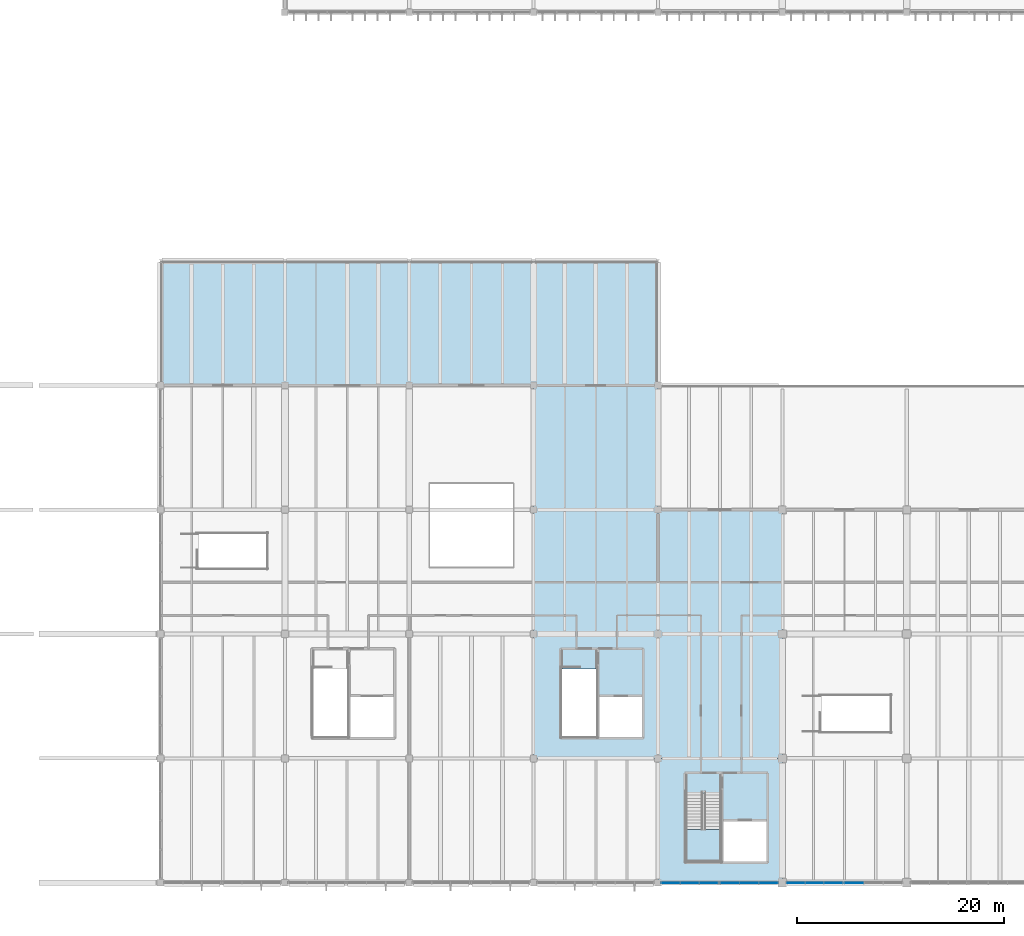
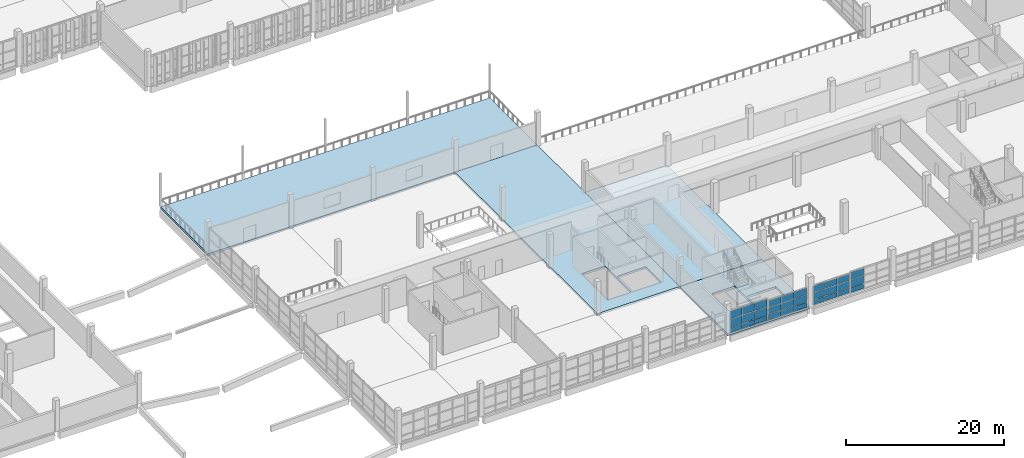
# One storey, part 60 of 112: 30 plates, 5 slabs, 5 elements without a shape of their own.
"""IFC4 building model written with IfcOpenShell, lengths in metres."""

from ifc_helpers import new_model, si_unit, direction, frame, origin, origin_2d, place, context, subcontext, project, spatial, polyline, rectangle, outline, extrude, material, layer, layer_set, type_object, element, aggregate, save


model = new_model("IFC4")

# Units and contexts
model_context = context("Model", 3, precision=1e-05, world=origin(), true_north=direction((0.0, 1.0)))
body_context = subcontext(model_context, "Body", "Model", "MODEL_VIEW")
ifc_project = project(units=[si_unit("LENGTHUNIT", "METRE"), si_unit("AREAUNIT", "SQUARE_METRE"), si_unit("VOLUMEUNIT", "CUBIC_METRE"), si_unit("PLANEANGLEUNIT", "RADIAN"), si_unit("MASSUNIT", "GRAM", prefix="KILO")], contexts=[model_context])

# Site, building, storey
site_placement = place(None, origin())
site = spatial("IfcSite", under=ifc_project, at=site_placement, CompositionType="ELEMENT")
building_placement = place(site_placement, origin())
building = spatial("IfcBuilding", under=site, at=building_placement, Name="Kamomehara Wholesale Market", CompositionType="ELEMENT")
storey_placement = place(building_placement, frame((0.0, 0.0, 6.60009765625)))
storey = spatial("IfcBuildingStorey", under=building, at=storey_placement, Name="L01", CompositionType="ELEMENT", Elevation=6.60009765625)

# Curtain wall, plates
ifc_material_1 = material(Name="Anodised aluminium 6063-T5", Category="aluminium")
curtain_wall_type = type_object("IfcCurtainWallType", Name="CW-UN-01", PredefinedType="NOTDEFINED", material=ifc_material_1)
curtain_wall_1_placement = place(storey_placement, origin())
curtain_wall_1 = element("IfcCurtainWall", 1, at=curtain_wall_1_placement, inside=storey, type_object=curtain_wall_type, Name="Unitised curtain wall CW-133", PredefinedType="NOTDEFINED")
ifc_material_2 = material(Name="Solar-control Low-E double glazing", Category="glass")
ifc_layer_1 = layer(ifc_material_2, 0.028076171875)
ifc_layer_set_1 = layer_set([ifc_layer_1], Name="Solar-control Low-E double glazing")
plate_type_1 = type_object("IfcPlateType", Name="CW-PNL-GLZ", PredefinedType="CURTAIN_PANEL", material=ifc_layer_set_1)
plate_1_placement = place(storey_placement, frame((118.657958984375, 11.97998046875, 0.8798828125), z_axis=(0.0, 0.0, 1.0), x_axis=(-1.0, 0.0, 0.0)))
plate_1 = element("IfcPlate", 2, at=plate_1_placement, type_object=plate_type_1, Name="Curtain panel CW-133.0.1", PredefinedType="CURTAIN_PANEL", context=body_context, shape_type="SweptSolid", body=[
    extrude(rectangle(XDim=1.782958984375, YDim=0.028076171875, at=origin_2d()), origin(), (0.0, 0.0, 1.0), 1.053955078125),
])
plate_2_placement = place(storey_placement, frame((118.657958984375, 11.97998046875, 1.994140625), z_axis=(0.0, 0.0, 1.0), x_axis=(-1.0, 0.0, 0.0)))
plate_2 = element("IfcPlate", 3, at=plate_2_placement, type_object=plate_type_1, Name="Curtain panel CW-133.0.2", PredefinedType="CURTAIN_PANEL", context=body_context, shape_type="SweptSolid", body=[
    extrude(rectangle(XDim=1.782958984375, YDim=0.028076171875, at=origin_2d()), origin(), (0.0, 0.0, 1.0), 1.013916015625),
])
plate_3_placement = place(storey_placement, frame((116.794921875, 11.97998046875, 0.8798828125), z_axis=(0.0, 0.0, 1.0), x_axis=(-1.0, 0.0, 0.0)))
plate_3 = element("IfcPlate", 4, at=plate_3_placement, type_object=plate_type_1, Name="Curtain panel CW-133.1.1", PredefinedType="CURTAIN_PANEL", context=body_context, shape_type="SweptSolid", body=[
    extrude(rectangle(XDim=1.782958984375, YDim=0.028076171875, at=origin_2d()), origin(), (0.0, 0.0, 1.0), 1.053955078125),
])
plate_4_placement = place(storey_placement, frame((116.794921875, 11.97998046875, 1.994140625), z_axis=(0.0, 0.0, 1.0), x_axis=(-1.0, 0.0, 0.0)))
plate_4 = element("IfcPlate", 5, at=plate_4_placement, type_object=plate_type_1, Name="Curtain panel CW-133.1.2", PredefinedType="CURTAIN_PANEL", context=body_context, shape_type="SweptSolid", body=[
    extrude(rectangle(XDim=1.782958984375, YDim=0.028076171875, at=origin_2d()), origin(), (0.0, 0.0, 1.0), 1.013916015625),
])
plate_5_placement = place(storey_placement, frame((114.931884765625, 11.97998046875, 0.8798828125), z_axis=(0.0, 0.0, 1.0), x_axis=(-1.0, 0.0, 0.0)))
plate_5 = element("IfcPlate", 6, at=plate_5_placement, type_object=plate_type_1, Name="Curtain panel CW-133.2.1", PredefinedType="CURTAIN_PANEL", context=body_context, shape_type="SweptSolid", body=[
    extrude(rectangle(XDim=1.782958984375, YDim=0.028076171875, at=origin_2d()), origin(), (0.0, 0.0, 1.0), 1.053955078125),
])
plate_6_placement = place(storey_placement, frame((114.931884765625, 11.97998046875, 1.994140625), z_axis=(0.0, 0.0, 1.0), x_axis=(-1.0, 0.0, 0.0)))
plate_6 = element("IfcPlate", 7, at=plate_6_placement, type_object=plate_type_1, Name="Curtain panel CW-133.2.2", PredefinedType="CURTAIN_PANEL", context=body_context, shape_type="SweptSolid", body=[
    extrude(rectangle(XDim=1.782958984375, YDim=0.028076171875, at=origin_2d()), origin(), (0.0, 0.0, 1.0), 1.013916015625),
])

curtain_wall_2_placement = place(storey_placement, origin())
curtain_wall_2 = element("IfcCurtainWall", 8, at=curtain_wall_2_placement, inside=storey, type_object=curtain_wall_type, Name="Unitised curtain wall CW-134", PredefinedType="NOTDEFINED")
plate_7_placement = place(storey_placement, frame((112.888916015625, 11.97998046875, 0.88037109375), z_axis=(0.0, 0.0, 1.0), x_axis=(-1.0, 0.0, 0.0)))
plate_7 = element("IfcPlate", 9, at=plate_7_placement, type_object=plate_type_1, Name="Curtain panel CW-134.0.1", PredefinedType="CURTAIN_PANEL", context=body_context, shape_type="SweptSolid", body=[
    extrude(rectangle(XDim=1.741943359375, YDim=0.028076171875, at=origin_2d()), origin(), (0.0, 0.0, 1.0), 1.22900390625),
])
plate_8_placement = place(storey_placement, frame((112.888916015625, 11.97998046875, 2.16943359375), z_axis=(0.0, 0.0, 1.0), x_axis=(-1.0, 0.0, 0.0)))
plate_8 = element("IfcPlate", 10, at=plate_8_placement, type_object=plate_type_1, Name="Curtain panel CW-134.0.2", PredefinedType="CURTAIN_PANEL", context=body_context, shape_type="SweptSolid", body=[
    extrude(rectangle(XDim=1.741943359375, YDim=0.028076171875, at=origin_2d()), origin(), (0.0, 0.0, 1.0), 1.18896484375),
])
plate_9_placement = place(storey_placement, frame((111.06689453125, 11.97998046875, 0.88037109375), z_axis=(0.0, 0.0, 1.0), x_axis=(-1.0, 0.0, 0.0)))
plate_9 = element("IfcPlate", 11, at=plate_9_placement, type_object=plate_type_1, Name="Curtain panel CW-134.1.1", PredefinedType="CURTAIN_PANEL", context=body_context, shape_type="SweptSolid", body=[
    extrude(rectangle(XDim=1.741943359375, YDim=0.028076171875, at=origin_2d()), origin(), (0.0, 0.0, 1.0), 1.22900390625),
])
plate_10_placement = place(storey_placement, frame((111.06689453125, 11.97998046875, 2.16943359375), z_axis=(0.0, 0.0, 1.0), x_axis=(-1.0, 0.0, 0.0)))
plate_10 = element("IfcPlate", 12, at=plate_10_placement, type_object=plate_type_1, Name="Curtain panel CW-134.1.2", PredefinedType="CURTAIN_PANEL", context=body_context, shape_type="SweptSolid", body=[
    extrude(rectangle(XDim=1.741943359375, YDim=0.028076171875, at=origin_2d()), origin(), (0.0, 0.0, 1.0), 1.18896484375),
])
plate_11_placement = place(storey_placement, frame((109.24609375, 11.97998046875, 0.88037109375), z_axis=(0.0, 0.0, 1.0), x_axis=(-1.0, 0.0, 0.0)))
plate_11 = element("IfcPlate", 13, at=plate_11_placement, type_object=plate_type_1, Name="Curtain panel CW-134.2.1", PredefinedType="CURTAIN_PANEL", context=body_context, shape_type="SweptSolid", body=[
    extrude(rectangle(XDim=1.741943359375, YDim=0.028076171875, at=origin_2d()), origin(), (0.0, 0.0, 1.0), 1.22900390625),
])
plate_12_placement = place(storey_placement, frame((109.24609375, 11.97998046875, 2.16943359375), z_axis=(0.0, 0.0, 1.0), x_axis=(-1.0, 0.0, 0.0)))
plate_12 = element("IfcPlate", 14, at=plate_12_placement, type_object=plate_type_1, Name="Curtain panel CW-134.2.2", PredefinedType="CURTAIN_PANEL", context=body_context, shape_type="SweptSolid", body=[
    extrude(rectangle(XDim=1.741943359375, YDim=0.028076171875, at=origin_2d()), origin(), (0.0, 0.0, 1.0), 1.18896484375),
])

curtain_wall_3_placement = place(storey_placement, origin())
curtain_wall_3 = element("IfcCurtainWall", 15, at=curtain_wall_3_placement, inside=storey, type_object=curtain_wall_type, Name="Unitised curtain wall CW-135", PredefinedType="NOTDEFINED")
plate_13_placement = place(storey_placement, frame((126.931884765625, 11.97998046875, 0.88037109375), z_axis=(0.0, 0.0, 1.0), x_axis=(-1.0, 0.0, 0.0)))
plate_13 = element("IfcPlate", 16, at=plate_13_placement, type_object=plate_type_1, Name="Curtain panel CW-135.2.1", PredefinedType="CURTAIN_PANEL", context=body_context, shape_type="SweptSolid", body=[
    extrude(rectangle(XDim=1.782958984375, YDim=0.028076171875, at=origin_2d()), origin(), (0.0, 0.0, 1.0), 1.14892578125),
])
plate_14_placement = place(storey_placement, frame((126.931884765625, 11.97998046875, 2.08935546875), z_axis=(0.0, 0.0, 1.0), x_axis=(-1.0, 0.0, 0.0)))
plate_14 = element("IfcPlate", 17, at=plate_14_placement, type_object=plate_type_1, Name="Curtain panel CW-135.2.2", PredefinedType="CURTAIN_PANEL", context=body_context, shape_type="SweptSolid", body=[
    extrude(rectangle(XDim=1.782958984375, YDim=0.028076171875, at=origin_2d()), origin(), (0.0, 0.0, 1.0), 1.10888671875),
])

curtain_wall_4_placement = place(storey_placement, origin())
curtain_wall_4 = element("IfcCurtainWall", 18, at=curtain_wall_4_placement, inside=storey, type_object=curtain_wall_type, Name="Unitised curtain wall CW-136", PredefinedType="NOTDEFINED")
plate_15_placement = place(storey_placement, frame((124.902099609375, 11.97998046875, 0.8798828125), z_axis=(0.0, 0.0, 1.0), x_axis=(-1.0, 0.0, 0.0)))
plate_15 = element("IfcPlate", 19, at=plate_15_placement, type_object=plate_type_1, Name="Curtain panel CW-136.0.1", PredefinedType="CURTAIN_PANEL", context=body_context, shape_type="SweptSolid", body=[
    extrude(rectangle(XDim=1.717041015625, YDim=0.028076171875, at=origin_2d()), origin(), (0.0, 0.0, 1.0), 1.053955078125),
])
plate_16_placement = place(storey_placement, frame((124.902099609375, 11.97998046875, 1.994140625), z_axis=(0.0, 0.0, 1.0), x_axis=(-1.0, 0.0, 0.0)))
plate_16 = element("IfcPlate", 20, at=plate_16_placement, type_object=plate_type_1, Name="Curtain panel CW-136.0.2", PredefinedType="CURTAIN_PANEL", context=body_context, shape_type="SweptSolid", body=[
    extrude(rectangle(XDim=1.717041015625, YDim=0.028076171875, at=origin_2d()), origin(), (0.0, 0.0, 1.0), 1.013916015625),
])
plate_17_placement = place(storey_placement, frame((123.10498046875, 11.97998046875, 0.8798828125), z_axis=(0.0, 0.0, 1.0), x_axis=(-1.0, 0.0, 0.0)))
plate_17 = element("IfcPlate", 21, at=plate_17_placement, type_object=plate_type_1, Name="Curtain panel CW-136.1.1", PredefinedType="CURTAIN_PANEL", context=body_context, shape_type="SweptSolid", body=[
    extrude(rectangle(XDim=1.717041015625, YDim=0.028076171875, at=origin_2d()), origin(), (0.0, 0.0, 1.0), 1.053955078125),
])
plate_18_placement = place(storey_placement, frame((123.10498046875, 11.97998046875, 1.994140625), z_axis=(0.0, 0.0, 1.0), x_axis=(-1.0, 0.0, 0.0)))
plate_18 = element("IfcPlate", 22, at=plate_18_placement, type_object=plate_type_1, Name="Curtain panel CW-136.1.2", PredefinedType="CURTAIN_PANEL", context=body_context, shape_type="SweptSolid", body=[
    extrude(rectangle(XDim=1.717041015625, YDim=0.028076171875, at=origin_2d()), origin(), (0.0, 0.0, 1.0), 1.013916015625),
])
plate_19_placement = place(storey_placement, frame((121.30810546875, 11.97998046875, 0.8798828125), z_axis=(0.0, 0.0, 1.0), x_axis=(-1.0, 0.0, 0.0)))
plate_19 = element("IfcPlate", 23, at=plate_19_placement, type_object=plate_type_1, Name="Curtain panel CW-136.2.1", PredefinedType="CURTAIN_PANEL", context=body_context, shape_type="SweptSolid", body=[
    extrude(rectangle(XDim=1.717041015625, YDim=0.028076171875, at=origin_2d()), origin(), (0.0, 0.0, 1.0), 1.053955078125),
])
plate_20_placement = place(storey_placement, frame((121.30810546875, 11.97998046875, 1.994140625), z_axis=(0.0, 0.0, 1.0), x_axis=(-1.0, 0.0, 0.0)))
plate_20 = element("IfcPlate", 24, at=plate_20_placement, type_object=plate_type_1, Name="Curtain panel CW-136.2.2", PredefinedType="CURTAIN_PANEL", context=body_context, shape_type="SweptSolid", body=[
    extrude(rectangle(XDim=1.717041015625, YDim=0.028076171875, at=origin_2d()), origin(), (0.0, 0.0, 1.0), 1.013916015625),
])

# Plate
ifc_material_3 = material(Name="Insulated aluminium spandrel panel", Category="aluminium")
ifc_layer_2 = layer(ifc_material_3, 0.0400390625)
ifc_layer_set_2 = layer_set([ifc_layer_2], Name="Insulated aluminium spandrel panel")
plate_type_2 = type_object("IfcPlateType", Name="CW-PNL-SPN", PredefinedType="CURTAIN_PANEL", material=ifc_layer_set_2)
plate_21_placement = place(storey_placement, frame((118.657958984375, 11.97998046875, 0.06982421875), z_axis=(0.0, 0.0, 1.0), x_axis=(-1.0, 0.0, 0.0)))
plate_21 = element("IfcPlate", 25, at=plate_21_placement, type_object=plate_type_2, Name="Curtain panel CW-133.0.0", PredefinedType="CURTAIN_PANEL", context=body_context, shape_type="SweptSolid", body=[
    extrude(rectangle(XDim=1.782958984375, YDim=0.0400390625, at=origin_2d()), origin(), (0.0, 0.0, 1.0), 0.75),
])

plate_22_placement = place(storey_placement, frame((116.794921875, 11.97998046875, 0.06982421875), z_axis=(0.0, 0.0, 1.0), x_axis=(-1.0, 0.0, 0.0)))
plate_22 = element("IfcPlate", 26, at=plate_22_placement, type_object=plate_type_2, Name="Curtain panel CW-133.1.0", PredefinedType="CURTAIN_PANEL", context=body_context, shape_type="SweptSolid", body=[
    extrude(rectangle(XDim=1.782958984375, YDim=0.0400390625, at=origin_2d()), origin(), (0.0, 0.0, 1.0), 0.75),
])

plate_23_placement = place(storey_placement, frame((114.931884765625, 11.97998046875, 0.06982421875), z_axis=(0.0, 0.0, 1.0), x_axis=(-1.0, 0.0, 0.0)))
plate_23 = element("IfcPlate", 27, at=plate_23_placement, type_object=plate_type_2, Name="Curtain panel CW-133.2.0", PredefinedType="CURTAIN_PANEL", context=body_context, shape_type="SweptSolid", body=[
    extrude(rectangle(XDim=1.782958984375, YDim=0.0400390625, at=origin_2d()), origin(), (0.0, 0.0, 1.0), 0.75),
])

aggregate(curtain_wall_1, [plate_21, plate_1, plate_2, plate_22, plate_3, plate_4, plate_23, plate_5, plate_6])

plate_24_placement = place(storey_placement, frame((112.888916015625, 11.97998046875, 0.06982421875), z_axis=(0.0, 0.0, 1.0), x_axis=(-1.0, 0.0, 0.0)))
plate_24 = element("IfcPlate", 28, at=plate_24_placement, type_object=plate_type_2, Name="Curtain panel CW-134.0.0", PredefinedType="CURTAIN_PANEL", context=body_context, shape_type="SweptSolid", body=[
    extrude(rectangle(XDim=1.741943359375, YDim=0.0400390625, at=origin_2d()), origin(), (0.0, 0.0, 1.0), 0.75),
])

plate_25_placement = place(storey_placement, frame((111.06689453125, 11.97998046875, 0.06982421875), z_axis=(0.0, 0.0, 1.0), x_axis=(-1.0, 0.0, 0.0)))
plate_25 = element("IfcPlate", 29, at=plate_25_placement, type_object=plate_type_2, Name="Curtain panel CW-134.1.0", PredefinedType="CURTAIN_PANEL", context=body_context, shape_type="SweptSolid", body=[
    extrude(rectangle(XDim=1.741943359375, YDim=0.0400390625, at=origin_2d()), origin(), (0.0, 0.0, 1.0), 0.75),
])

plate_26_placement = place(storey_placement, frame((109.24609375, 11.97998046875, 0.06982421875), z_axis=(0.0, 0.0, 1.0), x_axis=(-1.0, 0.0, 0.0)))
plate_26 = element("IfcPlate", 30, at=plate_26_placement, type_object=plate_type_2, Name="Curtain panel CW-134.2.0", PredefinedType="CURTAIN_PANEL", context=body_context, shape_type="SweptSolid", body=[
    extrude(rectangle(XDim=1.741943359375, YDim=0.0400390625, at=origin_2d()), origin(), (0.0, 0.0, 1.0), 0.75),
])

aggregate(curtain_wall_2, [plate_24, plate_7, plate_8, plate_25, plate_9, plate_10, plate_26, plate_11, plate_12])

plate_27_placement = place(storey_placement, frame((126.931884765625, 11.97998046875, 0.06982421875), z_axis=(0.0, 0.0, 1.0), x_axis=(-1.0, 0.0, 0.0)))
plate_27 = element("IfcPlate", 31, at=plate_27_placement, type_object=plate_type_2, Name="Curtain panel CW-135.2.0", PredefinedType="CURTAIN_PANEL", context=body_context, shape_type="SweptSolid", body=[
    extrude(rectangle(XDim=1.782958984375, YDim=0.0400390625, at=origin_2d()), origin(), (0.0, 0.0, 1.0), 0.75),
])

aggregate(curtain_wall_3, [plate_27, plate_13, plate_14])

plate_28_placement = place(storey_placement, frame((124.902099609375, 11.97998046875, 0.06982421875), z_axis=(0.0, 0.0, 1.0), x_axis=(-1.0, 0.0, 0.0)))
plate_28 = element("IfcPlate", 32, at=plate_28_placement, type_object=plate_type_2, Name="Curtain panel CW-136.0.0", PredefinedType="CURTAIN_PANEL", context=body_context, shape_type="SweptSolid", body=[
    extrude(rectangle(XDim=1.717041015625, YDim=0.0400390625, at=origin_2d()), origin(), (0.0, 0.0, 1.0), 0.75),
])

plate_29_placement = place(storey_placement, frame((123.10498046875, 11.97998046875, 0.06982421875), z_axis=(0.0, 0.0, 1.0), x_axis=(-1.0, 0.0, 0.0)))
plate_29 = element("IfcPlate", 33, at=plate_29_placement, type_object=plate_type_2, Name="Curtain panel CW-136.1.0", PredefinedType="CURTAIN_PANEL", context=body_context, shape_type="SweptSolid", body=[
    extrude(rectangle(XDim=1.717041015625, YDim=0.0400390625, at=origin_2d()), origin(), (0.0, 0.0, 1.0), 0.75),
])

plate_30_placement = place(storey_placement, frame((121.30810546875, 11.97998046875, 0.06982421875), z_axis=(0.0, 0.0, 1.0), x_axis=(-1.0, 0.0, 0.0)))
plate_30 = element("IfcPlate", 34, at=plate_30_placement, type_object=plate_type_2, Name="Curtain panel CW-136.2.0", PredefinedType="CURTAIN_PANEL", context=body_context, shape_type="SweptSolid", body=[
    extrude(rectangle(XDim=1.717041015625, YDim=0.0400390625, at=origin_2d()), origin(), (0.0, 0.0, 1.0), 0.75),
])

aggregate(curtain_wall_4, [plate_28, plate_15, plate_16, plate_29, plate_17, plate_18, plate_30, plate_19, plate_20])

# Slabs
ifc_material_4 = material(Name="Concrete Fc30 (C30/37)", Category="concrete")
ifc_layer_3 = layer(ifc_material_4, 0.3349609375)
ifc_layer_set_3 = layer_set([ifc_layer_3], Name="Concrete Fc30 (C30/37)")
slab_type_1 = type_object("IfcSlabType", Name="SLB-EXT-240", PredefinedType="FLOOR", material=ifc_layer_set_3)
slab_1_placement = place(storey_placement, frame((0.0, 0.0, -0.335205078125)))
element("IfcSlab", 35, at=slab_1_placement, inside=storey, type_object=slab_type_1, Name="External slab OSLB-L01-V4LOG", PredefinedType="FLOOR", context=body_context, shape_type="SweptSolid", body=[
    extrude(outline(polyline([(60.0, 60.0), (108.0, 60.0), (108.0, 72.0), (60.0, 72.0), (60.0, 60.0)])), origin(), (0.0, 0.0, 1.0), 0.335205078125),
])
ifc_material_5 = material(Name="Concrete Fc36 (C35/45)", Category="concrete")
ifc_layer_4 = layer(ifc_material_5, 0.31005859375)
ifc_layer_set_4 = layer_set([ifc_layer_4], Name="Concrete Fc36 (C35/45)")
slab_type_2 = type_object("IfcSlabType", Name="SLB-FLR-220", PredefinedType="FLOOR", material=ifc_layer_set_4)
slab_2_placement = place(storey_placement, frame((0.0, 0.0, -0.31005859375)))
element("IfcSlab", 36, at=slab_2_placement, inside=storey, type_object=slab_type_2, Name="Floor slab V4 L01 100", PredefinedType="FLOOR", context=body_context, shape_type="SweptSolid", body=[
    extrude(outline(polyline([(108.0, 24.0), (96.0, 24.0), (96.0, 60.0), (108.0, 60.0), (108.0, 24.0)]), holes=[polyline([(102.10009765625, 26.050048828125), (102.10009765625, 32.6298828125), (98.699951171875, 32.6298828125), (98.699951171875, 26.050048828125), (102.10009765625, 26.050048828125)]), polyline([(106.47998046875, 26.050048828125), (106.47998046875, 29.929931640625), (102.340087890625, 29.929931640625), (102.340087890625, 26.050048828125), (106.47998046875, 26.050048828125)])]), origin(), (0.0, 0.0, 1.0), 0.31005859375),
])
ifc_material_6 = material(Name="Concrete Fc36 (C35/45)", Category="concrete")
ifc_layer_5 = layer(ifc_material_6, 0.330078125)
ifc_layer_set_5 = layer_set([ifc_layer_5], Name="Concrete Fc36 (C35/45)")
slab_type_3 = type_object("IfcSlabType", Name="SLB-FLR-260", PredefinedType="FLOOR", material=ifc_layer_set_5)
slab_3_placement = place(storey_placement, frame((0.0, 0.0, -0.330078125)))
element("IfcSlab", 37, at=slab_3_placement, inside=storey, type_object=slab_type_3, Name="Floor slab V5 L01 102", PredefinedType="FLOOR", context=body_context, shape_type="SweptSolid", body=[
    extrude(outline(polyline([(120.0, 24.0), (108.0, 24.0), (108.0, 48.0), (120.0, 48.0), (120.0, 24.0)])), origin(), (0.0, 0.0, 1.0), 0.330078125),
])
ifc_material_7 = material(Name="Concrete Fc36 (C35/45)", Category="concrete")
ifc_layer_6 = layer(ifc_material_7, 0.340087890625)
ifc_layer_set_6 = layer_set([ifc_layer_6], Name="Concrete Fc36 (C35/45)")
slab_type_4 = type_object("IfcSlabType", Name="SLB-FLR-280", PredefinedType="FLOOR", material=ifc_layer_set_6)
slab_4_placement = place(storey_placement, frame((0.0, 0.0, -0.340087890625)))
element("IfcSlab", 38, at=slab_4_placement, inside=storey, type_object=slab_type_4, Name="Floor slab V5 L01 101", PredefinedType="FLOOR", context=body_context, shape_type="SweptSolid", body=[
    extrude(outline(polyline([(120.0, 24.0), (120.0, 12.0), (108.0, 12.0), (108.0, 24.0), (120.0, 24.0)]), holes=[polyline([(114.10009765625, 14.050048828125), (114.10009765625, 20.6298828125), (110.699951171875, 20.6298828125), (110.699951171875, 14.050048828125), (114.10009765625, 14.050048828125)]), polyline([(118.47998046875, 14.050048828125), (118.47998046875, 17.929931640625), (114.340087890625, 17.929931640625), (114.340087890625, 14.050048828125), (118.47998046875, 14.050048828125)])]), origin(), (0.0, 0.0, 1.0), 0.340087890625),
])

# Stair, slab
ifc_material_8 = material(Name="Concrete Fc36 (C35/45)", Category="concrete")
stair_type = type_object("IfcStairType", Name="STR-DL-02", PredefinedType="HALF_TURN_STAIR", material=ifc_material_8)
stair_placement = place(storey_placement, origin())
stair = element("IfcStair", 39, at=stair_placement, inside=storey, type_object=stair_type, Name="L01 Core exit stair ST-07", PredefinedType="HALF_TURN_STAIR")
ifc_material_9 = material(Name="Concrete Fc36 (C35/45)", Category="concrete")
ifc_layer_7 = layer(ifc_material_9, 0.199951171875)
ifc_layer_set_7 = layer_set([ifc_layer_7], Name="Concrete Fc36 (C35/45)")
slab_type_5 = type_object("IfcSlabType", Name="SLB-LND-200", PredefinedType="LANDING", material=ifc_layer_set_7)
slab_5_placement = place(storey_placement, frame((0.0, 0.0, 2.199951171875)))
slab_5 = element("IfcSlab", 40, at=slab_5_placement, type_object=slab_type_5, Name="ST-07 landing 1", PredefinedType="LANDING", context=body_context, shape_type="SweptSolid", body=[
    extrude(outline(polyline([(110.699951171875, 17.14990234375), (110.699951171875, 14.050048828125), (114.10009765625, 14.050048828125), (114.10009765625, 17.14990234375), (110.699951171875, 17.14990234375)])), origin(), (0.0, 0.0, 1.0), 0.199951171875),
])
aggregate(stair, [slab_5])

save(model, "model.ifc")
